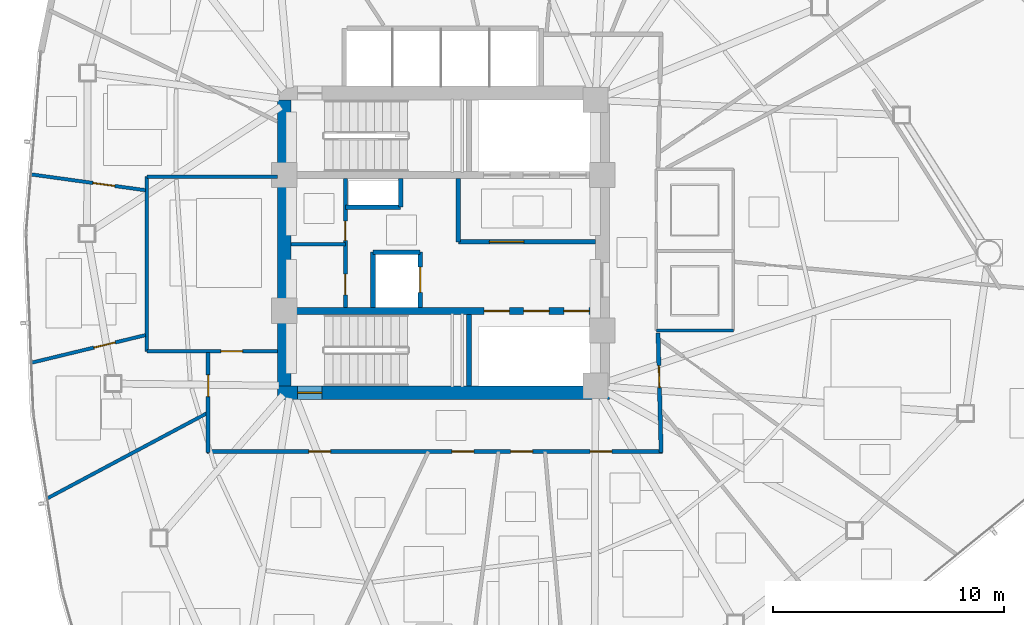
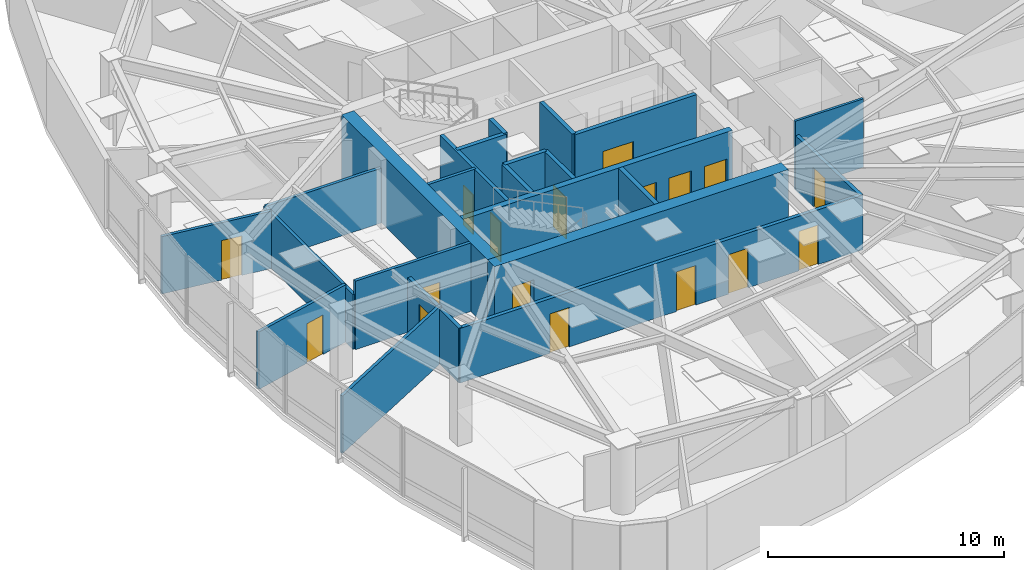
# One storey, part 11 of 17: 23 walls, 17 doors, 17 openings.
"""IFC4 building model written with IfcOpenShell, lengths in metres."""

from ifc_helpers import new_model, si_unit, direction, frame, frame_2d, origin, place, context, subcontext, project, spatial, rectangle, extrude, material, layer, layer_set, type_object, element, fill, save


model = new_model("IFC4")

# Units and contexts
model_context = context("Model", 3, precision=1e-05, world=origin(), true_north=direction((0.0, 1.0)))
body_context = subcontext(model_context, "Body", "Model", "MODEL_VIEW")
ifc_project = project(units=[si_unit("LENGTHUNIT", "METRE"), si_unit("AREAUNIT", "SQUARE_METRE"), si_unit("VOLUMEUNIT", "CUBIC_METRE"), si_unit("PLANEANGLEUNIT", "RADIAN"), si_unit("MASSUNIT", "GRAM", prefix="KILO")], contexts=[model_context])

# Site, building, storey
site_placement = place(None, origin())
site = spatial("IfcSite", under=ifc_project, at=site_placement, CompositionType="ELEMENT")
building_placement = place(site_placement, origin())
building = spatial("IfcBuilding", under=site, at=building_placement, Name="Tavelor Broadcast Tower", CompositionType="ELEMENT")
storey_placement = place(building_placement, frame((0.0, 0.0, 154.10009765625)))
storey = spatial("IfcBuildingStorey", under=building, at=storey_placement, Name="L36", CompositionType="ELEMENT", Elevation=154.10009765625)

# Wall, opening, door
ifc_material_1 = material(Name="Concrete C60/75", Category="concrete")
ifc_layer_1 = layer(ifc_material_1, 0.60009765625)
ifc_layer_set_1 = layer_set([ifc_layer_1], Name="Concrete C60/75")
wall_type_1 = type_object("IfcWallType", Name="Core Shear Wall 600 mm", PredefinedType="SHEAR", material=ifc_layer_set_1)
wall_1_placement = place(storey_placement, frame((42.800048828125, 38.5, 0.0), z_axis=(0.0, 0.0, 1.0), x_axis=(1.0, 0.0, 0.0)))
wall_1 = element("IfcWall", 1, at=wall_1_placement, inside=storey, type_object=wall_type_1, Name="L36 Central Core Shear Wall S", PredefinedType="SHEAR", context=body_context, shape_type="SweptSolid", body=[
    extrude(rectangle(XDim=14.39990234375, YDim=0.60009765625, at=frame_2d((7.199951171875, 0.0))), origin(), (0.0, 0.0, 1.0), 3.5498046875),
])
opening_1_placement = place(wall_1_placement, frame((0.8798828125, 0.0, 0.0)))
opening_1 = element("IfcOpeningElement", 2, at=opening_1_placement, cuts=wall_1, Name="Opening DR11", PredefinedType="OPENING", context=body_context, shape_type="SweptSolid", body=[
    extrude(rectangle(XDim=1.050048828125, YDim=2.199951171875, at=frame_2d((0.52490234375, 1.10009765625))), frame((0.0, 0.31005859375, 0.0), z_axis=(0.0, -1.0, 0.0), x_axis=(1.0, 0.0, 0.0)), (0.0, 0.0, 1.0), 0.6201171875),
])
ifc_material_2 = material(Name="Steel S355", Category="steel")
door_type_1 = type_object("IfcDoorType", Name="Stair Core Fire Escape Door 1050x2200", OperationType="NOTDEFINED", PredefinedType="DOOR", material=ifc_material_2)
door_1_placement = place(opening_1_placement, origin())
door_1 = element("IfcDoor", 3, at=door_1_placement, inside=storey, type_object=door_type_1, Name="L36 Stair ST2 Protected Exit Door", OperationType="SINGLE_SWING_RIGHT", OverallHeight=2.199951171875, OverallWidth=1.050048828125, PredefinedType="DOOR", context=body_context, shape_type="SweptSolid", body=[
    extrude(rectangle(XDim=1.050048828125, YDim=2.199951171875, at=frame_2d((0.52490234375, 1.10009765625))), frame((0.0, 0.02490234375, 0.0), z_axis=(0.0, -1.0, 0.0), x_axis=(1.0, 0.0, 0.0)), (0.0, 0.0, 1.0), 0.050048828125),
])
fill(opening_1, door_1)

# Wall
wall_2_placement = place(storey_placement, frame((43.10009765625, 38.800048828125, 0.0), z_axis=(0.0, 0.0, 1.0), x_axis=(0.0, 1.0, 0.0)))
element("IfcWall", 4, at=wall_2_placement, inside=storey, type_object=wall_type_1, Name="L36 Central Core Shear Wall W", PredefinedType="SHEAR", context=body_context, shape_type="SweptSolid", body=[
    extrude(rectangle(XDim=12.39990234375, YDim=0.60009765625, at=frame_2d((6.199951171875, 0.0))), origin(), (0.0, 0.0, 1.0), 3.5498046875),
])

# Wall, openings, doors
ifc_layer_2 = layer(ifc_material_1, 0.300048828125)
ifc_layer_set_2 = layer_set([ifc_layer_2], Name="Concrete C60/75")
wall_type_2 = type_object("IfcWallType", Name="Core Spine Shear Wall 300 mm C60", PredefinedType="SHEAR", material=ifc_layer_set_2)
wall_3_placement = place(storey_placement, frame((43.39990234375, 42.050048828125, 0.0), z_axis=(0.0, 0.0, 1.0), x_axis=(1.0, 0.0, 0.0)))
wall_3 = element("IfcWall", 5, at=wall_3_placement, inside=storey, type_object=wall_type_2, Name="L36 Central Core Shear Wall SP2", PredefinedType="SHEAR", context=body_context, shape_type="SweptSolid", body=[
    extrude(rectangle(XDim=13.2001953125, YDim=0.300048828125, at=frame_2d((6.60009765625, 0.0))), origin(), (0.0, 0.0, 1.0), 3.5498046875),
])
opening_2_placement = place(wall_3_placement, frame((8.3701171875, 0.0, 0.0)))
opening_2 = element("IfcOpeningElement", 6, at=opening_2_placement, cuts=wall_3, Name="Opening LD01", PredefinedType="OPENING", context=body_context, shape_type="SweptSolid", body=[
    extrude(rectangle(XDim=1.10009765625, YDim=2.14990234375, at=frame_2d((0.550048828125, 1.074951171875))), frame((0.0, 0.16015625, 0.0), z_axis=(0.0, -1.0, 0.0), x_axis=(1.0, 0.0, 0.0)), (0.0, 0.0, 1.0), 0.320068359375),
])
opening_3_placement = place(wall_3_placement, frame((10.090087890625, 0.0, 0.0)))
opening_3 = element("IfcOpeningElement", 7, at=opening_3_placement, cuts=wall_3, Name="Opening LD01", PredefinedType="OPENING", context=body_context, shape_type="SweptSolid", body=[
    extrude(rectangle(XDim=1.10009765625, YDim=2.14990234375, at=frame_2d((0.550048828125, 1.074951171875))), frame((0.0, 0.16015625, 0.0), z_axis=(0.0, -1.0, 0.0), x_axis=(1.0, 0.0, 0.0)), (0.0, 0.0, 1.0), 0.320068359375),
])
opening_4_placement = place(wall_3_placement, frame((11.830078125, 0.0, 0.0)))
opening_4 = element("IfcOpeningElement", 8, at=opening_4_placement, cuts=wall_3, Name="Opening LD01", PredefinedType="OPENING", context=body_context, shape_type="SweptSolid", body=[
    extrude(rectangle(XDim=1.10009765625, YDim=2.14990234375, at=frame_2d((0.550048828125, 1.074951171875))), frame((0.0, 0.16015625, 0.0), z_axis=(0.0, -1.0, 0.0), x_axis=(1.0, 0.0, 0.0)), (0.0, 0.0, 1.0), 0.320068359375),
])
ifc_material_3 = material(Name="Brushed Stainless Steel", Category="steel")
door_type_2 = type_object("IfcDoorType", Name="Passenger Lift Sliding Landing Door 1100x2150", OperationType="NOTDEFINED", PredefinedType="DOOR", material=ifc_material_3)
door_2_placement = place(opening_2_placement, origin())
door_2 = element("IfcDoor", 9, at=door_2_placement, inside=storey, type_object=door_type_2, Name="L36 Lift PLM1 Sliding Landing Door", OperationType="SLIDING_TO_LEFT", OverallHeight=2.14990234375, OverallWidth=1.10009765625, PredefinedType="DOOR", context=body_context, shape_type="SweptSolid", body=[
    extrude(rectangle(XDim=1.10009765625, YDim=2.14990234375, at=frame_2d((0.550048828125, 1.074951171875))), frame((0.0, 0.02490234375, 0.0), z_axis=(0.0, -1.0, 0.0), x_axis=(1.0, 0.0, 0.0)), (0.0, 0.0, 1.0), 0.050048828125),
])
fill(opening_2, door_2)
door_3_placement = place(opening_3_placement, origin())
door_3 = element("IfcDoor", 10, at=door_3_placement, inside=storey, type_object=door_type_2, Name="L36 Lift PLM2 Sliding Landing Door", OperationType="SLIDING_TO_LEFT", OverallHeight=2.14990234375, OverallWidth=1.10009765625, PredefinedType="DOOR", context=body_context, shape_type="SweptSolid", body=[
    extrude(rectangle(XDim=1.10009765625, YDim=2.14990234375, at=frame_2d((0.550048828125, 1.074951171875))), frame((0.0, 0.02490234375, 0.0), z_axis=(0.0, -1.0, 0.0), x_axis=(1.0, 0.0, 0.0)), (0.0, 0.0, 1.0), 0.050048828125),
])
fill(opening_3, door_3)
door_4_placement = place(opening_4_placement, origin())
door_4 = element("IfcDoor", 11, at=door_4_placement, inside=storey, type_object=door_type_2, Name="L36 Lift PLM3 Sliding Landing Door", OperationType="SLIDING_TO_LEFT", OverallHeight=2.14990234375, OverallWidth=1.10009765625, PredefinedType="DOOR", context=body_context, shape_type="SweptSolid", body=[
    extrude(rectangle(XDim=1.10009765625, YDim=2.14990234375, at=frame_2d((0.550048828125, 1.074951171875))), frame((0.0, 0.02490234375, 0.0), z_axis=(0.0, -1.0, 0.0), x_axis=(1.0, 0.0, 0.0)), (0.0, 0.0, 1.0), 0.050048828125),
])
fill(opening_4, door_4)

ifc_material_4 = material(Name="Calcium Silicate Fire Board 180 mm", Category="gypsum")
ifc_layer_3 = layer(ifc_material_4, 0.179931640625)
ifc_layer_set_3 = layer_set([ifc_layer_3], Name="Calcium Silicate Fire Board 180 mm")
wall_type_3 = type_object("IfcWallType", Name="Fire-Rated Corridor Partition Wall 180 mm", PredefinedType="PARTITIONING", material=ifc_layer_set_3)
wall_4_placement = place(storey_placement, frame((45.75, 42.199951171875, 0.0), z_axis=(0.0, 0.0, 1.0), x_axis=(0.0, 1.0, 0.0)))
wall_4 = element("IfcWall", 12, at=wall_4_placement, inside=storey, type_object=wall_type_3, Name="L36 Core West Service East Wall", PredefinedType="PARTITIONING", context=body_context, shape_type="SweptSolid", body=[
    extrude(rectangle(XDim=5.60009765625, YDim=0.179931640625, at=frame_2d((2.800048828125, 0.0))), origin(), (0.0, 0.0, 1.0), 3.5498046875),
])
opening_5_placement = place(wall_4_placement, frame((0.550048828125, 0.0, 0.0)))
opening_5 = element("IfcOpeningElement", 13, at=opening_5_placement, cuts=wall_4, Name="Opening DR32", PredefinedType="OPENING", context=body_context, shape_type="SweptSolid", body=[
    extrude(rectangle(XDim=0.89990234375, YDim=2.050048828125, at=frame_2d((0.449951171875, 1.02490234375))), frame((0.0, 0.10009765625, 0.0), z_axis=(0.0, -1.0, 0.0), x_axis=(1.0, 0.0, 0.0)), (0.0, 0.0, 1.0), 0.199951171875),
])
opening_6_placement = place(wall_4_placement, frame((2.89990234375, 0.0, 0.0)))
opening_6 = element("IfcOpeningElement", 14, at=opening_6_placement, cuts=wall_4, Name="Opening DR36", PredefinedType="OPENING", context=body_context, shape_type="SweptSolid", body=[
    extrude(rectangle(XDim=0.85009765625, YDim=2.050048828125, at=frame_2d((0.425048828125, 1.02490234375))), frame((0.0, 0.10009765625, 0.0), z_axis=(0.0, -1.0, 0.0), x_axis=(1.0, 0.0, 0.0)), (0.0, 0.0, 1.0), 0.199951171875),
])
ifc_material_5 = material(Name="Timber Solid Core Hardwood", Category="wood")
door_type_3 = type_object("IfcDoorType", Name="Accessible Washroom Door 900x2050", OperationType="NOTDEFINED", PredefinedType="DOOR", material=ifc_material_5)
door_5_placement = place(opening_5_placement, origin())
door_5 = element("IfcDoor", 15, at=door_5_placement, inside=storey, type_object=door_type_3, Name="L36 Core Accessible WC Door", OperationType="SINGLE_SWING_LEFT", OverallHeight=2.050048828125, OverallWidth=0.89990234375, PredefinedType="DOOR", context=body_context, shape_type="SweptSolid", body=[
    extrude(rectangle(XDim=0.89990234375, YDim=2.050048828125, at=frame_2d((0.449951171875, 1.02490234375))), frame((0.0, 0.02490234375, 0.0), z_axis=(0.0, -1.0, 0.0), x_axis=(1.0, 0.0, 0.0)), (0.0, 0.0, 1.0), 0.050048828125),
])
fill(opening_5, door_5)
door_type_4 = type_object("IfcDoorType", Name="Service Room Fire Door 850x2050", OperationType="NOTDEFINED", PredefinedType="DOOR", material=ifc_material_2)
door_6_placement = place(opening_6_placement, origin())
door_6 = element("IfcDoor", 16, at=door_6_placement, inside=storey, type_object=door_type_4, Name="L36 Core Cleaner Store Door", OperationType="SINGLE_SWING_RIGHT", OverallHeight=2.050048828125, OverallWidth=0.85009765625, PredefinedType="DOOR", context=body_context, shape_type="SweptSolid", body=[
    extrude(rectangle(XDim=0.85009765625, YDim=2.050048828125, at=frame_2d((0.425048828125, 1.02490234375))), frame((0.0, 0.02490234375, 0.0), z_axis=(0.0, -1.0, 0.0), x_axis=(1.0, 0.0, 0.0)), (0.0, 0.0, 1.0), 0.050048828125),
])
fill(opening_6, door_6)

# Wall, opening, door
wall_5_placement = place(storey_placement, frame((59.31640625, 41.10009765625, 0.0), z_axis=(0.0, 0.0, 1.0), x_axis=(0.025953695765, -0.999663146103, 0.0)))
wall_5 = element("IfcWall", 17, at=wall_5_placement, inside=storey, type_object=wall_type_3, Name="L36 Corridor Compartment Wall 03", PredefinedType="PARTITIONING", context=body_context, shape_type="SweptSolid", body=[
    extrude(rectangle(XDim=5.201904296875, YDim=0.179931640625, at=frame_2d((2.60107421875, 0.0))), origin(), (0.0, 0.0, 1.0), 2.8349609375),
])
opening_7_placement = place(wall_5_placement, frame((1.426513671875, 0.0, 0.0)))
opening_7 = element("IfcOpeningElement", 18, at=opening_7_placement, cuts=wall_5, Name="Opening DR18", PredefinedType="OPENING", context=body_context, shape_type="SweptSolid", body=[
    extrude(rectangle(XDim=0.949951171875, YDim=2.050048828125, at=frame_2d((0.47509765625, 1.02490234375))), frame((0.0, 0.10009765625, 0.0), z_axis=(0.0, -1.0, 0.0), x_axis=(1.0, 0.0, 0.0)), (0.0, 0.0, 1.0), 0.199951171875),
])
door_type_5 = type_object("IfcDoorType", Name="Corridor Rated Compartment Door 950x2050", OperationType="NOTDEFINED", PredefinedType="DOOR", material=ifc_material_5)
door_7_placement = place(opening_7_placement, origin())
door_7 = element("IfcDoor", 19, at=door_7_placement, inside=storey, type_object=door_type_5, Name="L36 Audio Dubbing Studio Door R2", OperationType="SINGLE_SWING_RIGHT", OverallHeight=2.050048828125, OverallWidth=0.949951171875, PredefinedType="DOOR", context=body_context, shape_type="SweptSolid", body=[
    extrude(rectangle(XDim=0.949951171875, YDim=2.050048828125, at=frame_2d((0.47509765625, 1.02490234375))), frame((0.0, 0.02490234375, 0.0), z_axis=(0.0, -1.0, 0.0), x_axis=(1.0, 0.0, 0.0)), (0.0, 0.0, 1.0), 0.050048828125),
])
fill(opening_7, door_7)

# Wall, openings, doors
wall_6_placement = place(storey_placement, frame((59.5, 35.949951171875, 0.0), z_axis=(0.0, 0.0, 1.0), x_axis=(-1.0, 0.0, 0.0)))
wall_6 = element("IfcWall", 20, at=wall_6_placement, inside=storey, type_object=wall_type_3, Name="L36 Corridor Compartment Wall 04", PredefinedType="PARTITIONING", context=body_context, shape_type="SweptSolid", body=[
    extrude(rectangle(XDim=19.75, YDim=0.179931640625, at=frame_2d((9.875, 0.0))), origin(), (0.0, 0.0, 1.0), 2.8349609375),
])
opening_8_placement = place(wall_6_placement, frame((2.182861328125, 0.0, 0.0)))
opening_8 = element("IfcOpeningElement", 21, at=opening_8_placement, cuts=wall_6, Name="Opening DR18", PredefinedType="OPENING", context=body_context, shape_type="SweptSolid", body=[
    extrude(rectangle(XDim=0.949951171875, YDim=2.050048828125, at=frame_2d((0.47509765625, 1.02490234375))), frame((0.0, 0.10009765625, 0.0), z_axis=(0.0, -1.0, 0.0), x_axis=(1.0, 0.0, 0.0)), (0.0, 0.0, 1.0), 0.199951171875),
])
opening_9_placement = place(wall_6_placement, frame((5.623779296875, 0.0, 0.0)))
opening_9 = element("IfcOpeningElement", 22, at=opening_9_placement, cuts=wall_6, Name="Opening DR18", PredefinedType="OPENING", context=body_context, shape_type="SweptSolid", body=[
    extrude(rectangle(XDim=0.949951171875, YDim=2.050048828125, at=frame_2d((0.47509765625, 1.02490234375))), frame((0.0, 0.10009765625, 0.0), z_axis=(0.0, -1.0, 0.0), x_axis=(1.0, 0.0, 0.0)), (0.0, 0.0, 1.0), 0.199951171875),
])
opening_10_placement = place(wall_6_placement, frame((8.177978515625, 0.0, 0.0)))
opening_10 = element("IfcOpeningElement", 23, at=opening_10_placement, cuts=wall_6, Name="Opening DR18", PredefinedType="OPENING", context=body_context, shape_type="SweptSolid", body=[
    extrude(rectangle(XDim=0.949951171875, YDim=2.050048828125, at=frame_2d((0.47509765625, 1.02490234375))), frame((0.0, 0.10009765625, 0.0), z_axis=(0.0, -1.0, 0.0), x_axis=(1.0, 0.0, 0.0)), (0.0, 0.0, 1.0), 0.199951171875),
])
opening_11_placement = place(wall_6_placement, frame((14.385009765625, 0.0, 0.0)))
opening_11 = element("IfcOpeningElement", 24, at=opening_11_placement, cuts=wall_6, Name="Opening DR18", PredefinedType="OPENING", context=body_context, shape_type="SweptSolid", body=[
    extrude(rectangle(XDim=0.949951171875, YDim=2.050048828125, at=frame_2d((0.47509765625, 1.02490234375))), frame((0.0, 0.10009765625, 0.0), z_axis=(0.0, -1.0, 0.0), x_axis=(1.0, 0.0, 0.0)), (0.0, 0.0, 1.0), 0.199951171875),
])
door_8_placement = place(opening_8_placement, origin())
door_8 = element("IfcDoor", 25, at=door_8_placement, inside=storey, type_object=door_type_5, Name="L36 Podcast Recording Studio Door R3", OperationType="SINGLE_SWING_LEFT", OverallHeight=2.050048828125, OverallWidth=0.949951171875, PredefinedType="DOOR", context=body_context, shape_type="SweptSolid", body=[
    extrude(rectangle(XDim=0.949951171875, YDim=2.050048828125, at=frame_2d((0.47509765625, 1.02490234375))), frame((0.0, 0.02490234375, 0.0), z_axis=(0.0, -1.0, 0.0), x_axis=(1.0, 0.0, 0.0)), (0.0, 0.0, 1.0), 0.050048828125),
])
fill(opening_8, door_8)
door_9_placement = place(opening_9_placement, origin())
door_9 = element("IfcDoor", 26, at=door_9_placement, inside=storey, type_object=door_type_5, Name="L36 Colour Grading Studio Door R4", OperationType="SINGLE_SWING_RIGHT", OverallHeight=2.050048828125, OverallWidth=0.949951171875, PredefinedType="DOOR", context=body_context, shape_type="SweptSolid", body=[
    extrude(rectangle(XDim=0.949951171875, YDim=2.050048828125, at=frame_2d((0.47509765625, 1.02490234375))), frame((0.0, 0.02490234375, 0.0), z_axis=(0.0, -1.0, 0.0), x_axis=(1.0, 0.0, 0.0)), (0.0, 0.0, 1.0), 0.050048828125),
])
fill(opening_9, door_9)
door_10_placement = place(opening_10_placement, origin())
door_10 = element("IfcDoor", 27, at=door_10_placement, inside=storey, type_object=door_type_5, Name="L36 Sound Foley Studio Door R5", OperationType="SINGLE_SWING_LEFT", OverallHeight=2.050048828125, OverallWidth=0.949951171875, PredefinedType="DOOR", context=body_context, shape_type="SweptSolid", body=[
    extrude(rectangle(XDim=0.949951171875, YDim=2.050048828125, at=frame_2d((0.47509765625, 1.02490234375))), frame((0.0, 0.02490234375, 0.0), z_axis=(0.0, -1.0, 0.0), x_axis=(1.0, 0.0, 0.0)), (0.0, 0.0, 1.0), 0.050048828125),
])
fill(opening_10, door_10)
door_11_placement = place(opening_11_placement, origin())
door_11 = element("IfcDoor", 28, at=door_11_placement, inside=storey, type_object=door_type_5, Name="L36 VFX Compositing Lab Door R6", OperationType="SINGLE_SWING_RIGHT", OverallHeight=2.050048828125, OverallWidth=0.949951171875, PredefinedType="DOOR", context=body_context, shape_type="SweptSolid", body=[
    extrude(rectangle(XDim=0.949951171875, YDim=2.050048828125, at=frame_2d((0.47509765625, 1.02490234375))), frame((0.0, 0.02490234375, 0.0), z_axis=(0.0, -1.0, 0.0), x_axis=(1.0, 0.0, 0.0)), (0.0, 0.0, 1.0), 0.050048828125),
])
fill(opening_11, door_11)

# Wall, opening, door
wall_7_placement = place(storey_placement, frame((39.800048828125, 35.89990234375, 0.0), z_axis=(0.0, 0.0, 1.0), x_axis=(0.0, 1.0, 0.0)))
wall_7 = element("IfcWall", 29, at=wall_7_placement, inside=storey, type_object=wall_type_3, Name="L36 Corridor Compartment Wall 05", PredefinedType="PARTITIONING", context=body_context, shape_type="SweptSolid", body=[
    extrude(rectangle(XDim=4.35009765625, YDim=0.179931640625, at=frame_2d((2.175048828125, 0.0))), origin(), (0.0, 0.0, 1.0), 2.8349609375),
])
opening_12_placement = place(wall_7_placement, frame((2.428955078125, 0.0, 0.0)))
opening_12 = element("IfcOpeningElement", 30, at=opening_12_placement, cuts=wall_7, Name="Opening DR18", PredefinedType="OPENING", context=body_context, shape_type="SweptSolid", body=[
    extrude(rectangle(XDim=0.949951171875, YDim=2.050048828125, at=frame_2d((0.47509765625, 1.02490234375))), frame((0.0, 0.10009765625, 0.0), z_axis=(0.0, -1.0, 0.0), x_axis=(1.0, 0.0, 0.0)), (0.0, 0.0, 1.0), 0.199951171875),
])
door_12_placement = place(opening_12_placement, origin())
door_12 = element("IfcDoor", 31, at=door_12_placement, inside=storey, type_object=door_type_5, Name="L36 Broadcast Production Studio Door R7", OperationType="SINGLE_SWING_LEFT", OverallHeight=2.050048828125, OverallWidth=0.949951171875, PredefinedType="DOOR", context=body_context, shape_type="SweptSolid", body=[
    extrude(rectangle(XDim=0.949951171875, YDim=2.050048828125, at=frame_2d((0.47509765625, 1.02490234375))), frame((0.0, 0.02490234375, 0.0), z_axis=(0.0, -1.0, 0.0), x_axis=(1.0, 0.0, 0.0)), (0.0, 0.0, 1.0), 0.050048828125),
])
fill(opening_12, door_12)

# Wall
ifc_material_6 = material(Name="Gypsum Acoustic Plasterboard 150 mm", Category="gypsum")
ifc_layer_4 = layer(ifc_material_6, 0.14990234375)
ifc_layer_set_4 = layer_set([ifc_layer_4], Name="Gypsum Acoustic Plasterboard 150 mm")
wall_type_4 = type_object("IfcWallType", Name="Interior Acoustic Partition Wall 150 mm", PredefinedType="PARTITIONING", material=ifc_layer_set_4)
wall_8_placement = place(storey_placement, frame((43.39990234375, 44.949951171875, 0.0), z_axis=(0.0, 0.0, 1.0), x_axis=(1.0, 0.0, 0.0)))
element("IfcWall", 32, at=wall_8_placement, inside=storey, type_object=wall_type_4, Name="L36 Core Split Wall A", PredefinedType="PARTITIONING", context=body_context, shape_type="SweptSolid", body=[
    extrude(rectangle(XDim=2.35009765625, YDim=0.14990234375, at=frame_2d((1.175048828125, 0.0))), origin(), (0.0, 0.0, 1.0), 3.5498046875),
])

# Wall, opening, door
wall_9_placement = place(storey_placement, frame((37.139892578125, 40.300048828125, 0.0), z_axis=(0.0, 0.0, 1.0), x_axis=(1.0, 0.0, 0.0)))
wall_9 = element("IfcWall", 33, at=wall_9_placement, inside=storey, type_object=wall_type_4, Name="L36 Reclaimed Shaft Pantry South Wall", PredefinedType="PARTITIONING", context=body_context, shape_type="SweptSolid", body=[
    extrude(rectangle(XDim=5.66015625, YDim=0.14990234375, at=frame_2d((2.830078125, 0.0))), origin(), (0.0, 0.0, 1.0), 3.5498046875),
])
opening_13_placement = place(wall_9_placement, frame((3.2099609375, 0.0, 0.0)))
opening_13 = element("IfcOpeningElement", 34, at=opening_13_placement, cuts=wall_9, Name="Opening DR18", PredefinedType="OPENING", context=body_context, shape_type="SweptSolid", body=[
    extrude(rectangle(XDim=0.949951171875, YDim=2.050048828125, at=frame_2d((0.47509765625, 1.02490234375))), frame((0.0, 0.0849609375, 0.0), z_axis=(0.0, -1.0, 0.0), x_axis=(1.0, 0.0, 0.0)), (0.0, 0.0, 1.0), 0.169921875),
])
door_13_placement = place(opening_13_placement, origin())
door_13 = element("IfcDoor", 35, at=door_13_placement, inside=storey, type_object=door_type_5, Name="L36 Broadcast IT Patch and Pantry Door", OperationType="SINGLE_SWING_LEFT", OverallHeight=2.050048828125, OverallWidth=0.949951171875, PredefinedType="DOOR", context=body_context, shape_type="SweptSolid", body=[
    extrude(rectangle(XDim=0.949951171875, YDim=2.050048828125, at=frame_2d((0.47509765625, 1.02490234375))), frame((0.0, 0.02490234375, 0.0), z_axis=(0.0, -1.0, 0.0), x_axis=(1.0, 0.0, 0.0)), (0.0, 0.0, 1.0), 0.050048828125),
])
fill(opening_13, door_13)

# Walls
wall_10_placement = place(storey_placement, frame((37.139892578125, 40.300048828125, 0.0), z_axis=(0.0, 0.0, 1.0), x_axis=(0.0, 1.0, 0.0)))
element("IfcWall", 36, at=wall_10_placement, inside=storey, type_object=wall_type_4, Name="L36 Reclaimed Shaft Pantry West Wall", PredefinedType="PARTITIONING", context=body_context, shape_type="SweptSolid", body=[
    extrude(rectangle(XDim=7.579833984375, YDim=0.14990234375, at=frame_2d((3.7900390625, 0.0))), origin(), (0.0, 0.0, 1.0), 2.8349609375),
])
wall_11_placement = place(storey_placement, frame((37.139892578125, 47.8798828125, 0.0), z_axis=(0.0, 0.0, 1.0), x_axis=(1.0, 0.0, 0.0)))
element("IfcWall", 37, at=wall_11_placement, inside=storey, type_object=wall_type_4, Name="L36 Reclaimed Shaft Pantry North Wall", PredefinedType="PARTITIONING", context=body_context, shape_type="SweptSolid", body=[
    extrude(rectangle(XDim=5.66015625, YDim=0.14990234375, at=frame_2d((2.830078125, 0.0))), origin(), (0.0, 0.0, 1.0), 2.8349609375),
])

# Wall, opening, door
wall_12_placement = place(storey_placement, frame((37.080078125, 47.2861328125, 0.0), z_axis=(0.0, 0.0, 1.0), x_axis=(-0.990556664292, 0.137103956279, 0.0)))
wall_12 = element("IfcWall", 38, at=wall_12_placement, inside=storey, type_object=wall_type_4, Name="L36 Radial Compartment Wall 06", PredefinedType="PARTITIONING", context=body_context, shape_type="SweptSolid", body=[
    extrude(rectangle(XDim=5.02880859375, YDim=0.14990234375, at=frame_2d((2.514404296875, 0.0))), origin(), (0.0, 0.0, 1.0), 2.974853515625),
])
opening_14_placement = place(wall_12_placement, frame((1.35009765625, 0.0, 0.0)))
opening_14 = element("IfcOpeningElement", 39, at=opening_14_placement, cuts=wall_12, Name="Opening DR18", PredefinedType="OPENING", context=body_context, shape_type="SweptSolid", body=[
    extrude(rectangle(XDim=0.949951171875, YDim=2.050048828125, at=frame_2d((0.47509765625, 1.02490234375))), frame((0.0, 0.0849609375, 0.0), z_axis=(0.0, -1.0, 0.0), x_axis=(1.0, 0.0, 0.0)), (0.0, 0.0, 1.0), 0.169921875),
])
door_14_placement = place(opening_14_placement, origin())
door_14 = element("IfcDoor", 40, at=door_14_placement, inside=storey, type_object=door_type_5, Name="L36 Suite Connecting Door 9", OperationType="SINGLE_SWING_LEFT", OverallHeight=2.050048828125, OverallWidth=0.949951171875, PredefinedType="DOOR", context=body_context, shape_type="SweptSolid", body=[
    extrude(rectangle(XDim=0.949951171875, YDim=2.050048828125, at=frame_2d((0.47509765625, 1.02490234375))), frame((0.0, 0.02490234375, 0.0), z_axis=(0.0, -1.0, 0.0), x_axis=(1.0, 0.0, 0.0)), (0.0, 0.0, 1.0), 0.050048828125),
])
fill(opening_14, door_14)

wall_13_placement = place(storey_placement, frame((37.080078125, 41.0, 0.0), z_axis=(0.0, 0.0, 1.0), x_axis=(-0.971921392154, -0.235305774416, 0.0)))
wall_13 = element("IfcWall", 41, at=wall_13_placement, inside=storey, type_object=wall_type_4, Name="L36 Radial Compartment Wall 07", PredefinedType="PARTITIONING", context=body_context, shape_type="SweptSolid", body=[
    extrude(rectangle(XDim=5.105712890625, YDim=0.14990234375, at=frame_2d((2.552734375, 0.0))), origin(), (0.0, 0.0, 1.0), 2.974853515625),
])
opening_15_placement = place(wall_13_placement, frame((1.35009765625, 0.0, 0.0)))
opening_15 = element("IfcOpeningElement", 42, at=opening_15_placement, cuts=wall_13, Name="Opening DR18", PredefinedType="OPENING", context=body_context, shape_type="SweptSolid", body=[
    extrude(rectangle(XDim=0.949951171875, YDim=2.050048828125, at=frame_2d((0.47509765625, 1.02490234375))), frame((0.0, 0.0849609375, 0.0), z_axis=(0.0, -1.0, 0.0), x_axis=(1.0, 0.0, 0.0)), (0.0, 0.0, 1.0), 0.169921875),
])
door_15_placement = place(opening_15_placement, origin())
door_15 = element("IfcDoor", 43, at=door_15_placement, inside=storey, type_object=door_type_5, Name="L36 Suite Connecting Door 8", OperationType="SINGLE_SWING_RIGHT", OverallHeight=2.050048828125, OverallWidth=0.949951171875, PredefinedType="DOOR", context=body_context, shape_type="SweptSolid", body=[
    extrude(rectangle(XDim=0.949951171875, YDim=2.050048828125, at=frame_2d((0.47509765625, 1.02490234375))), frame((0.0, 0.02490234375, 0.0), z_axis=(0.0, -1.0, 0.0), x_axis=(1.0, 0.0, 0.0)), (0.0, 0.0, 1.0), 0.050048828125),
])
fill(opening_15, door_15)

# Wall
wall_14_placement = place(storey_placement, frame((39.800048828125, 37.640380859375, 0.0), z_axis=(0.0, 0.0, 1.0), x_axis=(-0.882365728991, -0.470564257356, 0.0)))
element("IfcWall", 44, at=wall_14_placement, inside=storey, type_object=wall_type_4, Name="L36 Radial Compartment Wall 08", PredefinedType="PARTITIONING", context=body_context, shape_type="SweptSolid", body=[
    extrude(rectangle(XDim=7.92724609375, YDim=0.14990234375, at=frame_2d((3.963623046875, 0.0))), origin(), (0.0, 0.0, 1.0), 2.974853515625),
])

# Wall, opening, door
ifc_material_7 = material(Name="Concrete Blockwork 200 mm", Category="masonry")
ifc_layer_5 = layer(ifc_material_7, 0.199951171875)
ifc_layer_set_5 = layer_set([ifc_layer_5], Name="Concrete Blockwork 200 mm")
wall_type_5 = type_object("IfcWallType", Name="Lift Hoistway Rated Front Wall 200 mm", PredefinedType="PARTITIONING", material=ifc_layer_set_5)
wall_15_placement = place(storey_placement, frame((49.0, 42.199951171875, 0.0), z_axis=(0.0, 0.0, 1.0), x_axis=(0.0, 1.0, 0.0)))
wall_15 = element("IfcWall", 45, at=wall_15_placement, inside=storey, type_object=wall_type_5, Name="L36 Mid-Rise Lift PLM4 Hoistway Front Wall", PredefinedType="PARTITIONING", context=body_context, shape_type="SweptSolid", body=[
    extrude(rectangle(XDim=2.400146484375, YDim=0.199951171875, at=frame_2d((1.2001953125, 0.0))), origin(), (0.0, 0.0, 1.0), 3.5498046875),
])
opening_16_placement = place(wall_15_placement, frame((0.64990234375, 0.0, 0.0)))
opening_16 = element("IfcOpeningElement", 46, at=opening_16_placement, cuts=wall_15, Name="Opening LD01", PredefinedType="OPENING", context=body_context, shape_type="SweptSolid", body=[
    extrude(rectangle(XDim=1.10009765625, YDim=2.14990234375, at=frame_2d((0.550048828125, 1.074951171875))), frame((0.0, 0.10986328125, 0.0), z_axis=(0.0, -1.0, 0.0), x_axis=(1.0, 0.0, 0.0)), (0.0, 0.0, 1.0), 0.219970703125),
])
door_16_placement = place(opening_16_placement, origin())
door_16 = element("IfcDoor", 47, at=door_16_placement, inside=storey, type_object=door_type_2, Name="L36 Lift PLM4 Sliding Landing Door", OperationType="SLIDING_TO_RIGHT", OverallHeight=2.14990234375, OverallWidth=1.10009765625, PredefinedType="DOOR", context=body_context, shape_type="SweptSolid", body=[
    extrude(rectangle(XDim=1.10009765625, YDim=2.14990234375, at=frame_2d((0.550048828125, 1.074951171875))), frame((0.0, 0.02490234375, 0.0), z_axis=(0.0, -1.0, 0.0), x_axis=(1.0, 0.0, 0.0)), (0.0, 0.0, 1.0), 0.050048828125),
])
fill(opening_16, door_16)

# Walls
ifc_layer_6 = layer(ifc_material_7, 0.199951171875)
ifc_layer_set_6 = layer_set([ifc_layer_6], Name="Concrete Blockwork 200 mm")
wall_type_6 = type_object("IfcWallType", Name="Lift and Riser Shaft Enclosure Wall 200 mm", PredefinedType="PARTITIONING", material=ifc_layer_set_6)
wall_16_placement = place(storey_placement, frame((45.75, 46.550048828125, 0.0), z_axis=(0.0, 0.0, 1.0), x_axis=(1.0, 0.0, 0.0)))
element("IfcWall", 48, at=wall_16_placement, inside=storey, type_object=wall_type_6, Name="L36 Riser Shaft South Wall", PredefinedType="PARTITIONING", context=body_context, shape_type="SweptSolid", body=[
    extrude(rectangle(XDim=2.39990234375, YDim=0.199951171875, at=frame_2d((1.199951171875, 0.0))), origin(), (0.0, 0.0, 1.0), 3.5498046875),
])
wall_17_placement = place(storey_placement, frame((48.14990234375, 46.550048828125, 0.0), z_axis=(0.0, 0.0, 1.0), x_axis=(0.0, 1.0, 0.0)))
element("IfcWall", 49, at=wall_17_placement, inside=storey, type_object=wall_type_6, Name="L36 Riser Shaft East Wall", PredefinedType="PARTITIONING", context=body_context, shape_type="SweptSolid", body=[
    extrude(rectangle(XDim=1.25, YDim=0.199951171875, at=frame_2d((0.625, 0.0))), origin(), (0.0, 0.0, 1.0), 3.5498046875),
])
wall_18_placement = place(storey_placement, frame((46.949951171875, 42.199951171875, 0.0), z_axis=(0.0, 0.0, 1.0), x_axis=(0.0, 1.0, 0.0)))
element("IfcWall", 50, at=wall_18_placement, inside=storey, type_object=wall_type_6, Name="L36 Mid-Rise Lift PLM4 West Wall", PredefinedType="PARTITIONING", context=body_context, shape_type="SweptSolid", body=[
    extrude(rectangle(XDim=2.400146484375, YDim=0.199951171875, at=frame_2d((1.2001953125, 0.0))), origin(), (0.0, 0.0, 1.0), 3.5498046875),
])
wall_19_placement = place(storey_placement, frame((46.949951171875, 44.60009765625, 0.0), z_axis=(0.0, 0.0, 1.0), x_axis=(1.0, 0.0, 0.0)))
element("IfcWall", 51, at=wall_19_placement, inside=storey, type_object=wall_type_6, Name="L36 Mid-Rise Lift PLM4 North Wall", PredefinedType="PARTITIONING", context=body_context, shape_type="SweptSolid", body=[
    extrude(rectangle(XDim=2.050048828125, YDim=0.199951171875, at=frame_2d((1.02490234375, 0.0))), origin(), (0.0, 0.0, 1.0), 3.5498046875),
])

# Wall, opening, door
wall_20_placement = place(storey_placement, frame((50.64990234375, 45.050048828125, 0.0), z_axis=(0.0, 0.0, 1.0), x_axis=(1.0, 0.0, 0.0)))
wall_20 = element("IfcWall", 52, at=wall_20_placement, inside=storey, type_object=wall_type_6, Name="L36 Firefighting Lobby South Wall", PredefinedType="PARTITIONING", context=body_context, shape_type="SweptSolid", body=[
    extrude(rectangle(XDim=5.9501953125, YDim=0.199951171875, at=frame_2d((2.97509765625, 0.0))), origin(), (0.0, 0.0, 1.0), 3.5498046875),
])
opening_17_placement = place(wall_20_placement, frame((1.35009765625, 0.0, 0.0)))
opening_17 = element("IfcOpeningElement", 53, at=opening_17_placement, cuts=wall_20, Name="Opening DR14", PredefinedType="OPENING", context=body_context, shape_type="SweptSolid", body=[
    extrude(rectangle(XDim=1.5, YDim=2.199951171875, at=frame_2d((0.75, 1.10009765625))), frame((0.0, 0.10986328125, 0.0), z_axis=(0.0, -1.0, 0.0), x_axis=(1.0, 0.0, 0.0)), (0.0, 0.0, 1.0), 0.219970703125),
])
door_type_6 = type_object("IfcDoorType", Name="Firefighting Lobby Double Fire Door 1500x2200", OperationType="NOTDEFINED", PredefinedType="DOOR", material=ifc_material_2)
door_17_placement = place(opening_17_placement, origin())
door_17 = element("IfcDoor", 54, at=door_17_placement, inside=storey, type_object=door_type_6, Name="L36 Firefighting Lobby Compartment Door", OperationType="SINGLE_SWING_RIGHT", OverallHeight=2.199951171875, OverallWidth=1.5, PredefinedType="DOOR", context=body_context, shape_type="SweptSolid", body=[
    extrude(rectangle(XDim=1.5, YDim=2.199951171875, at=frame_2d((0.75, 1.10009765625))), frame((0.0, 0.02490234375, 0.0), z_axis=(0.0, -1.0, 0.0), x_axis=(1.0, 0.0, 0.0)), (0.0, 0.0, 1.0), 0.050048828125),
])
fill(opening_17, door_17)

# Walls
wall_21_placement = place(storey_placement, frame((50.64990234375, 45.050048828125, 0.0), z_axis=(0.0, 0.0, 1.0), x_axis=(0.0, 1.0, 0.0)))
element("IfcWall", 55, at=wall_21_placement, inside=storey, type_object=wall_type_6, Name="L36 Firefighting Lobby West Wall", PredefinedType="PARTITIONING", context=body_context, shape_type="SweptSolid", body=[
    extrude(rectangle(XDim=2.75, YDim=0.199951171875, at=frame_2d((1.375, 0.0))), origin(), (0.0, 0.0, 1.0), 3.5498046875),
])
ifc_material_8 = material(Name="Moisture-Resistant Plasterboard 120 mm", Category="gypsum")
ifc_layer_7 = layer(ifc_material_8, 0.1201171875)
ifc_layer_set_7 = layer_set([ifc_layer_7], Name="Moisture-Resistant Plasterboard 120 mm")
wall_type_7 = type_object("IfcWallType", Name="Moisture-Resistant Wet-Room Partition 120 mm", PredefinedType="PARTITIONING", material=ifc_layer_set_7)
wall_22_placement = place(storey_placement, frame((59.239990234375, 41.199951171875, 0.0), z_axis=(0.0, 0.0, 1.0), x_axis=(1.0, 0.0, 0.0)))
element("IfcWall", 56, at=wall_22_placement, inside=storey, type_object=wall_type_7, Name="L36 Floor Washrooms South Wall", PredefinedType="PARTITIONING", context=body_context, shape_type="SweptSolid", body=[
    extrude(rectangle(XDim=3.340087890625, YDim=0.1201171875, at=frame_2d((1.669921875, 0.0))), origin(), (0.0, 0.0, 1.0), 3.5498046875),
])
ifc_material_9 = material(Name="Concrete C40/50", Category="concrete")
ifc_layer_8 = layer(ifc_material_9, 0.219970703125)
ifc_layer_set_8 = layer_set([ifc_layer_8], Name="Concrete C40/50")
wall_type_8 = type_object("IfcWallType", Name="Structural Stairwell Shear Wall 220 mm", PredefinedType="SHEAR", material=ifc_layer_set_8)
wall_23_placement = place(storey_placement, frame((51.110107421875, 38.800048828125, 0.0), z_axis=(0.0, 0.0, 1.0), x_axis=(0.0, 1.0, 0.0)))
element("IfcWall", 57, at=wall_23_placement, inside=storey, type_object=wall_type_8, Name="L36 Stair ST2 Structural Shaft Wall", PredefinedType="SHEAR", context=body_context, shape_type="SweptSolid", body=[
    extrude(rectangle(XDim=3.099853515625, YDim=0.219970703125, at=frame_2d((1.5498046875, 0.0))), origin(), (0.0, 0.0, 1.0), 3.5498046875),
])

save(model, "model.ifc")
